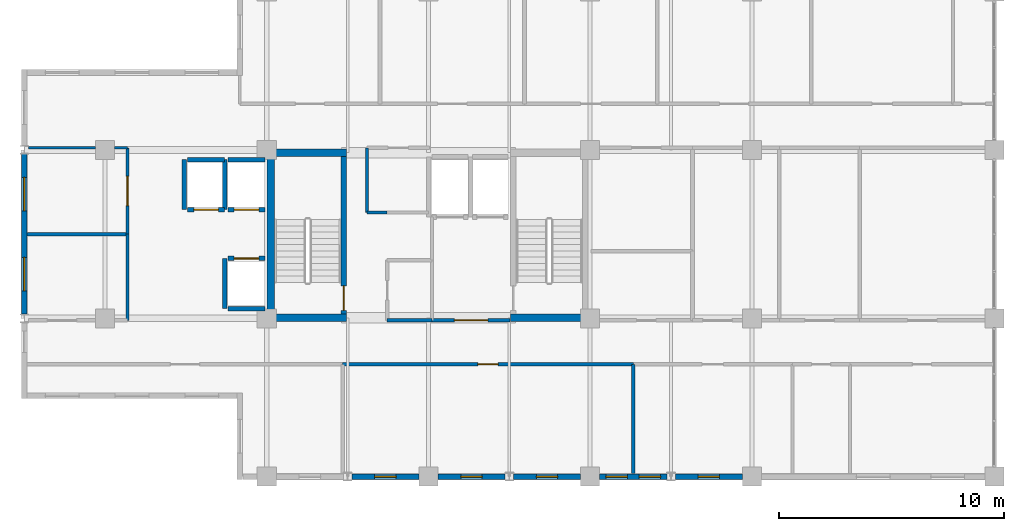
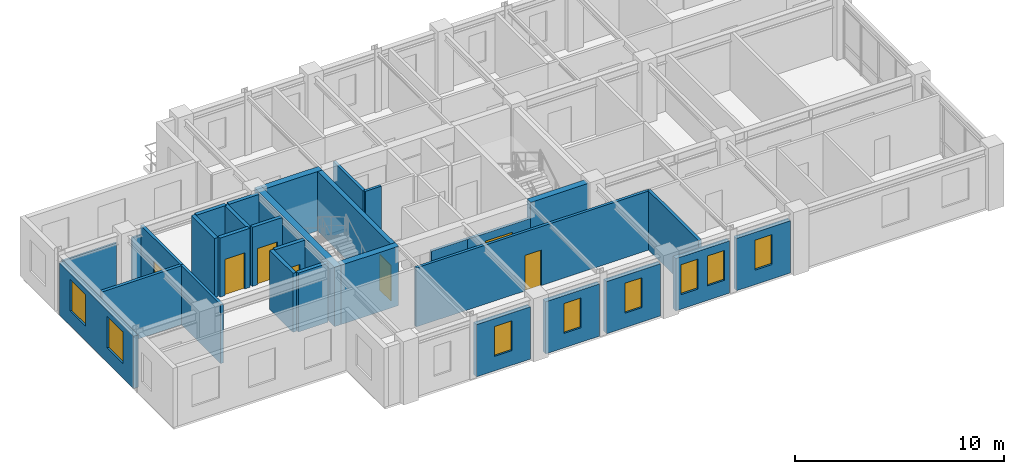
# One storey, part 6 of 10: 31 walls, 8 windows, 7 doors, 15 openings.
"""IFC4 building model written with IfcOpenShell, lengths in metres."""

from ifc_helpers import new_model, si_unit, direction, frame, frame_2d, origin, place, context, subcontext, project, spatial, rectangle, extrude, material, layer, layer_set, type_object, element, fill, save


model = new_model("IFC4")

# Units and contexts
model_context = context("Model", 3, precision=1e-05, world=origin(), true_north=direction((0.0, 1.0)))
body_context = subcontext(model_context, "Body", "Model", "MODEL_VIEW")
ifc_project = project(units=[si_unit("LENGTHUNIT", "METRE"), si_unit("AREAUNIT", "SQUARE_METRE"), si_unit("VOLUMEUNIT", "CUBIC_METRE"), si_unit("PLANEANGLEUNIT", "RADIAN"), si_unit("MASSUNIT", "GRAM", prefix="KILO")], contexts=[model_context])

# Site, building, storey
site_placement = place(None, origin())
site = spatial("IfcSite", under=ifc_project, at=site_placement, CompositionType="ELEMENT")
building_placement = place(site_placement, origin())
building = spatial("IfcBuilding", under=site, at=building_placement, Name="Kaliganga Portal Commons", CompositionType="ELEMENT")
storey_placement = place(building_placement, frame((0.0, 0.0, 290.60009765625)))
storey = spatial("IfcBuildingStorey", under=building, at=storey_placement, Name="L75", CompositionType="ELEMENT", Elevation=290.60009765625)

# Walls
ifc_material_1 = material(Name="Concrete C50/60", Category="concrete")
ifc_layer_1 = layer(ifc_material_1, 0.35009765625)
ifc_layer_set_1 = layer_set([ifc_layer_1], Name="Concrete C50/60")
wall_type_1 = type_object("IfcWallType", Name="WL-CORE-350", PredefinedType="SHEAR", material=ifc_layer_set_1)
wall_1_placement = place(storey_placement, frame((14.574951171875, 28.5, 0.0), z_axis=(0.0, 0.0, 1.0), x_axis=(0.0, 1.0, 0.0)))
element("IfcWall", 1, at=wall_1_placement, inside=storey, type_object=wall_type_1, Name="Core A West Shear Wall L75", PredefinedType="SHEAR", context=body_context, shape_type="SweptSolid", body=[
    extrude(rectangle(XDim=7.699951171875, YDim=0.35009765625, at=frame_2d((3.85009765625, 0.0))), origin(), (0.0, 0.0, 1.0), 3.474853515625),
])
for number, where, z_axis, x_axis, name in (
    (2, (14.75, 28.675048828125, 0.0), (0.0, 0.0, 1.0), (1.0, 0.0, 0.0), "Core A S-West Shear Wall L75"),
    (3, (25.25, 28.675048828125, 0.0), (0.0, 0.0, 1.0), (1.0, 0.0, 0.0), "Core A S-East Shear Wall L75"),
    (4, (14.75, 36.02490234375, 0.0), (0.0, 0.0, 1.0), (1.0, 0.0, 0.0), "Core A N-West Shear Wall L75"),
):
    element("IfcWall", number, at=place(storey_placement, frame(where, z_axis=z_axis, x_axis=x_axis)), inside=storey, type_object=wall_type_1, Name=name, PredefinedType="SHEAR", context=body_context, shape_type="SweptSolid", body=[
        extrude(rectangle(XDim=3.199951171875, YDim=0.35009765625, at=frame_2d((1.60009765625, 0.0))), origin(), (0.0, 0.0, 1.0), 3.474853515625),
    ])

# Wall, opening, window
ifc_material_2 = material(Name="Insulated Aluminium-Clad Spandrel Assembly", Category="aluminium")
ifc_layer_2 = layer(ifc_material_2, 0.260009765625)
ifc_layer_set_2 = layer_set([ifc_layer_2], Name="Insulated Aluminium-Clad Spandrel Assembly")
wall_type_2 = type_object("IfcWallType", Name="WL-EXT-SPAND-260", PredefinedType="STANDARD", material=ifc_layer_set_2)
wall_2_placement = place(storey_placement, frame((21.174072265625, 21.60009765625, 0.0), z_axis=(0.0, 0.0, 1.0), x_axis=(-1.0, 0.0, 0.0)))
wall_2 = element("IfcWall", 5, at=wall_2_placement, inside=storey, type_object=wall_type_2, Name="Exterior Envelope Wall L75 P1-E00-S3", PredefinedType="STANDARD", context=body_context, shape_type="SweptSolid", body=[
    extrude(rectangle(XDim=2.986083984375, YDim=0.260009765625, at=frame_2d((1.4931640625, 0.0))), origin(), (0.0, 0.0, 1.0), 3.054931640625),
])
opening_1_placement = place(wall_2_placement, frame((1.01806640625, 0.0, 0.85009765625)))
opening_1 = element("IfcOpeningElement", 6, at=opening_1_placement, cuts=wall_2, Name="Opening W-04", PredefinedType="OPENING", context=body_context, shape_type="SweptSolid", body=[
    extrude(rectangle(XDim=0.949951171875, YDim=1.75, at=frame_2d((0.47509765625, 0.875))), frame((0.0, 0.14013671875, 0.0), z_axis=(0.0, -1.0, 0.0), x_axis=(1.0, 0.0, 0.0)), (0.0, 0.0, 1.0), 0.280029296875),
])
ifc_material_3 = material(Name="Thermally Broken Aluminium and Low-E Double Glazing", Category="aluminium")
window_type_1 = type_object("IfcWindowType", Name="WIN-NARROW-950", PartitioningType="SINGLE_PANEL", PredefinedType="WINDOW", material=ifc_material_3)
window_1_placement = place(opening_1_placement, origin())
window_1 = element("IfcWindow", 7, at=window_1_placement, inside=storey, type_object=window_type_1, Name="Facade Window L75-P1E00S3-00", OverallHeight=1.75, OverallWidth=0.949951171875, PartitioningType="SINGLE_PANEL", PredefinedType="WINDOW", context=body_context, shape_type="SweptSolid", body=[
    extrude(rectangle(XDim=0.949951171875, YDim=1.75, at=frame_2d((0.47509765625, 0.875))), frame((0.0, 0.030029296875, 0.0), z_axis=(0.0, -1.0, 0.0), x_axis=(1.0, 0.0, 0.0)), (0.0, 0.0, 1.0), 0.06005859375),
])
fill(opening_1, window_1)

wall_3_placement = place(storey_placement, frame((25.011962890625, 21.60009765625, 0.0), z_axis=(0.0, 0.0, 1.0), x_axis=(-1.0, 0.0, 0.0)))
wall_3 = element("IfcWall", 8, at=wall_3_placement, inside=storey, type_object=wall_type_2, Name="Exterior Envelope Wall L75 P1-E00-S4", PredefinedType="STANDARD", context=body_context, shape_type="SweptSolid", body=[
    extrude(rectangle(XDim=2.986083984375, YDim=0.260009765625, at=frame_2d((1.4931640625, 0.0))), origin(), (0.0, 0.0, 1.0), 3.054931640625),
])
opening_2_placement = place(wall_3_placement, frame((1.01806640625, 0.0, 0.85009765625)))
opening_2 = element("IfcOpeningElement", 9, at=opening_2_placement, cuts=wall_3, Name="Opening W-04", PredefinedType="OPENING", context=body_context, shape_type="SweptSolid", body=[
    extrude(rectangle(XDim=0.949951171875, YDim=1.75, at=frame_2d((0.47509765625, 0.875))), frame((0.0, 0.14013671875, 0.0), z_axis=(0.0, -1.0, 0.0), x_axis=(1.0, 0.0, 0.0)), (0.0, 0.0, 1.0), 0.280029296875),
])
window_2_placement = place(opening_2_placement, origin())
window_2 = element("IfcWindow", 10, at=window_2_placement, inside=storey, type_object=window_type_1, Name="Facade Window L75-P1E00S4-00", OverallHeight=1.75, OverallWidth=0.949951171875, PartitioningType="SINGLE_PANEL", PredefinedType="WINDOW", context=body_context, shape_type="SweptSolid", body=[
    extrude(rectangle(XDim=0.949951171875, YDim=1.75, at=frame_2d((0.47509765625, 0.875))), frame((0.0, 0.030029296875, 0.0), z_axis=(0.0, -1.0, 0.0), x_axis=(1.0, 0.0, 0.0)), (0.0, 0.0, 1.0), 0.06005859375),
])
fill(opening_2, window_2)

wall_4_placement = place(storey_placement, frame((28.3740234375, 21.60009765625, 0.0), z_axis=(0.0, 0.0, 1.0), x_axis=(-1.0, 0.0, 0.0)))
wall_4 = element("IfcWall", 11, at=wall_4_placement, inside=storey, type_object=wall_type_2, Name="Exterior Envelope Wall L75 P1-E00-S5", PredefinedType="STANDARD", context=body_context, shape_type="SweptSolid", body=[
    extrude(rectangle(XDim=2.986083984375, YDim=0.260009765625, at=frame_2d((1.4931640625, 0.0))), origin(), (0.0, 0.0, 1.0), 3.054931640625),
])
opening_3_placement = place(wall_4_placement, frame((1.01806640625, 0.0, 0.85009765625)))
opening_3 = element("IfcOpeningElement", 12, at=opening_3_placement, cuts=wall_4, Name="Opening W-04", PredefinedType="OPENING", context=body_context, shape_type="SweptSolid", body=[
    extrude(rectangle(XDim=0.949951171875, YDim=1.75, at=frame_2d((0.47509765625, 0.875))), frame((0.0, 0.14013671875, 0.0), z_axis=(0.0, -1.0, 0.0), x_axis=(1.0, 0.0, 0.0)), (0.0, 0.0, 1.0), 0.280029296875),
])
window_3_placement = place(opening_3_placement, origin())
window_3 = element("IfcWindow", 13, at=window_3_placement, inside=storey, type_object=window_type_1, Name="Facade Window L75-P1E00S5-00", OverallHeight=1.75, OverallWidth=0.949951171875, PartitioningType="SINGLE_PANEL", PredefinedType="WINDOW", context=body_context, shape_type="SweptSolid", body=[
    extrude(rectangle(XDim=0.949951171875, YDim=1.75, at=frame_2d((0.47509765625, 0.875))), frame((0.0, 0.030029296875, 0.0), z_axis=(0.0, -1.0, 0.0), x_axis=(1.0, 0.0, 0.0)), (0.0, 0.0, 1.0), 0.06005859375),
])
fill(opening_3, window_3)

# Wall, openings, windows
wall_5_placement = place(storey_placement, frame((32.2119140625, 21.60009765625, 0.0), z_axis=(0.0, 0.0, 1.0), x_axis=(-1.0, 0.0, 0.0)))
wall_5 = element("IfcWall", 14, at=wall_5_placement, inside=storey, type_object=wall_type_2, Name="Exterior Envelope Wall L75 P1-E00-S6", PredefinedType="STANDARD", context=body_context, shape_type="SweptSolid", body=[
    extrude(rectangle(XDim=2.98583984375, YDim=0.260009765625, at=frame_2d((1.492919921875, 0.0))), origin(), (0.0, 0.0, 1.0), 3.054931640625),
])
opening_4_placement = place(wall_5_placement, frame((0.277587890625, 0.0, 0.85009765625)))
opening_4 = element("IfcOpeningElement", 15, at=opening_4_placement, cuts=wall_5, Name="Opening W-04", PredefinedType="OPENING", context=body_context, shape_type="SweptSolid", body=[
    extrude(rectangle(XDim=0.949951171875, YDim=1.75, at=frame_2d((0.47509765625, 0.875))), frame((0.0, 0.14013671875, 0.0), z_axis=(0.0, -1.0, 0.0), x_axis=(1.0, 0.0, 0.0)), (0.0, 0.0, 1.0), 0.280029296875),
])
opening_5_placement = place(wall_5_placement, frame((1.758544921875, 0.0, 0.85009765625)))
opening_5 = element("IfcOpeningElement", 16, at=opening_5_placement, cuts=wall_5, Name="Opening W-04", PredefinedType="OPENING", context=body_context, shape_type="SweptSolid", body=[
    extrude(rectangle(XDim=0.949951171875, YDim=1.75, at=frame_2d((0.47509765625, 0.875))), frame((0.0, 0.14013671875, 0.0), z_axis=(0.0, -1.0, 0.0), x_axis=(1.0, 0.0, 0.0)), (0.0, 0.0, 1.0), 0.280029296875),
])
window_4_placement = place(opening_4_placement, origin())
window_4 = element("IfcWindow", 17, at=window_4_placement, inside=storey, type_object=window_type_1, Name="Facade Window L75-P1E00S6-N1", OverallHeight=1.75, OverallWidth=0.949951171875, PartitioningType="SINGLE_PANEL", PredefinedType="WINDOW", context=body_context, shape_type="SweptSolid", body=[
    extrude(rectangle(XDim=0.949951171875, YDim=1.75, at=frame_2d((0.47509765625, 0.875))), frame((0.0, 0.030029296875, 0.0), z_axis=(0.0, -1.0, 0.0), x_axis=(1.0, 0.0, 0.0)), (0.0, 0.0, 1.0), 0.06005859375),
])
fill(opening_4, window_4)
window_5_placement = place(opening_5_placement, origin())
window_5 = element("IfcWindow", 18, at=window_5_placement, inside=storey, type_object=window_type_1, Name="Facade Window L75-P1E00S6-N2", OverallHeight=1.75, OverallWidth=0.949951171875, PartitioningType="SINGLE_PANEL", PredefinedType="WINDOW", context=body_context, shape_type="SweptSolid", body=[
    extrude(rectangle(XDim=0.949951171875, YDim=1.75, at=frame_2d((0.47509765625, 0.875))), frame((0.0, 0.030029296875, 0.0), z_axis=(0.0, -1.0, 0.0), x_axis=(1.0, 0.0, 0.0)), (0.0, 0.0, 1.0), 0.06005859375),
])
fill(opening_5, window_5)

# Wall, opening, window
wall_6_placement = place(storey_placement, frame((35.573974609375, 21.60009765625, 0.0), z_axis=(0.0, 0.0, 1.0), x_axis=(-1.0, 0.0, 0.0)))
wall_6 = element("IfcWall", 19, at=wall_6_placement, inside=storey, type_object=wall_type_2, Name="Exterior Envelope Wall L75 P1-E00-S7", PredefinedType="STANDARD", context=body_context, shape_type="SweptSolid", body=[
    extrude(rectangle(XDim=2.986083984375, YDim=0.260009765625, at=frame_2d((1.4931640625, 0.0))), origin(), (0.0, 0.0, 1.0), 3.054931640625),
])
opening_6_placement = place(wall_6_placement, frame((1.01806640625, 0.0, 0.85009765625)))
opening_6 = element("IfcOpeningElement", 20, at=opening_6_placement, cuts=wall_6, Name="Opening W-04", PredefinedType="OPENING", context=body_context, shape_type="SweptSolid", body=[
    extrude(rectangle(XDim=0.949951171875, YDim=1.75, at=frame_2d((0.47509765625, 0.875))), frame((0.0, 0.14013671875, 0.0), z_axis=(0.0, -1.0, 0.0), x_axis=(1.0, 0.0, 0.0)), (0.0, 0.0, 1.0), 0.280029296875),
])
window_6_placement = place(opening_6_placement, origin())
window_6 = element("IfcWindow", 21, at=window_6_placement, inside=storey, type_object=window_type_1, Name="Facade Window L75-P1E00S7-00", OverallHeight=1.75, OverallWidth=0.949951171875, PartitioningType="SINGLE_PANEL", PredefinedType="WINDOW", context=body_context, shape_type="SweptSolid", body=[
    extrude(rectangle(XDim=0.949951171875, YDim=1.75, at=frame_2d((0.47509765625, 0.875))), frame((0.0, 0.030029296875, 0.0), z_axis=(0.0, -1.0, 0.0), x_axis=(1.0, 0.0, 0.0)), (0.0, 0.0, 1.0), 0.06005859375),
])
fill(opening_6, window_6)

# Wall, openings, windows
wall_7_placement = place(storey_placement, frame((3.60009765625, 28.8369140625, 0.0), z_axis=(0.0, 0.0, 1.0), x_axis=(0.0, 1.0, 0.0)))
wall_7 = element("IfcWall", 22, at=wall_7_placement, inside=storey, type_object=wall_type_2, Name="Exterior Envelope Wall L75 P1-E05-S2", PredefinedType="STANDARD", context=body_context, shape_type="SweptSolid", body=[
    extrude(rectangle(XDim=7.1259765625, YDim=0.260009765625, at=frame_2d((3.56298828125, 0.0))), origin(), (0.0, 0.0, 1.0), 3.054931640625),
])
opening_7_placement = place(wall_7_placement, frame((1.031494140625, 0.0, 0.85009765625)))
opening_7 = element("IfcOpeningElement", 23, at=opening_7_placement, cuts=wall_7, Name="Opening W-02", PredefinedType="OPENING", context=body_context, shape_type="SweptSolid", body=[
    extrude(rectangle(XDim=1.5, YDim=1.85009765625, at=frame_2d((0.75, 0.925048828125))), frame((0.0, 0.14013671875, 0.0), z_axis=(0.0, -1.0, 0.0), x_axis=(1.0, 0.0, 0.0)), (0.0, 0.0, 1.0), 0.280029296875),
])
opening_8_placement = place(wall_7_placement, frame((4.594482421875, 0.0, 0.85009765625)))
opening_8 = element("IfcOpeningElement", 24, at=opening_8_placement, cuts=wall_7, Name="Opening W-02", PredefinedType="OPENING", context=body_context, shape_type="SweptSolid", body=[
    extrude(rectangle(XDim=1.5, YDim=1.85009765625, at=frame_2d((0.75, 0.925048828125))), frame((0.0, 0.14013671875, 0.0), z_axis=(0.0, -1.0, 0.0), x_axis=(1.0, 0.0, 0.0)), (0.0, 0.0, 1.0), 0.280029296875),
])
window_type_2 = type_object("IfcWindowType", Name="WIN-STD-1500", PartitioningType="DOUBLE_PANEL_VERTICAL", PredefinedType="WINDOW", material=ifc_material_3)
window_7_placement = place(opening_7_placement, origin())
window_7 = element("IfcWindow", 25, at=window_7_placement, inside=storey, type_object=window_type_2, Name="Facade Window L75-P1E05S2-00", OverallHeight=1.85009765625, OverallWidth=1.5, PartitioningType="SINGLE_PANEL", PredefinedType="WINDOW", context=body_context, shape_type="SweptSolid", body=[
    extrude(rectangle(XDim=1.5, YDim=1.85009765625, at=frame_2d((0.75, 0.925048828125))), frame((0.0, 0.030029296875, 0.0), z_axis=(0.0, -1.0, 0.0), x_axis=(1.0, 0.0, 0.0)), (0.0, 0.0, 1.0), 0.06005859375),
])
fill(opening_7, window_7)
window_8_placement = place(opening_8_placement, origin())
window_8 = element("IfcWindow", 26, at=window_8_placement, inside=storey, type_object=window_type_2, Name="Facade Window L75-P1E05S2-01", OverallHeight=1.85009765625, OverallWidth=1.5, PartitioningType="SINGLE_PANEL", PredefinedType="WINDOW", context=body_context, shape_type="SweptSolid", body=[
    extrude(rectangle(XDim=1.5, YDim=1.85009765625, at=frame_2d((0.75, 0.925048828125))), frame((0.0, 0.030029296875, 0.0), z_axis=(0.0, -1.0, 0.0), x_axis=(1.0, 0.0, 0.0)), (0.0, 0.0, 1.0), 0.06005859375),
])
fill(opening_8, window_8)

# Wall, opening, door
ifc_material_4 = material(Name="Fire-Rated Gypsum Board on Steel Stud", Category="steel")
ifc_layer_3 = layer(ifc_material_4, 0.14990234375)
ifc_layer_set_3 = layer_set([ifc_layer_3], Name="Fire-Rated Gypsum Board on Steel Stud")
wall_type_3 = type_object("IfcWallType", Name="WL-PART-CORR-150", PredefinedType="PARTITIONING", material=ifc_layer_set_3)
wall_8_placement = place(storey_placement, frame((17.780029296875, 26.60009765625, 0.0), z_axis=(0.0, 0.0, 1.0), x_axis=(1.0, 0.0, 0.0)))
wall_8 = element("IfcWall", 27, at=wall_8_placement, inside=storey, type_object=wall_type_3, Name="Interior Partition L75-002", PredefinedType="PARTITIONING", context=body_context, shape_type="SweptSolid", body=[
    extrude(rectangle(XDim=12.93994140625, YDim=0.14990234375, at=frame_2d((6.469970703125, 0.0))), origin(), (0.0, 0.0, 1.0), 3.454833984375),
])
opening_9_placement = place(wall_8_placement, frame((6.02001953125, 0.0, 0.0)))
opening_9 = element("IfcOpeningElement", 28, at=opening_9_placement, cuts=wall_8, Name="Opening RD-01", PredefinedType="OPENING", context=body_context, shape_type="SweptSolid", body=[
    extrude(rectangle(XDim=0.89990234375, YDim=2.080078125, at=frame_2d((0.449951171875, 1.0400390625))), frame((0.0, 0.0849609375, 0.0), z_axis=(0.0, -1.0, 0.0), x_axis=(1.0, 0.0, 0.0)), (0.0, 0.0, 1.0), 0.169921875),
])
ifc_material_5 = material(Name="Engineered Timber Flush Door", Category="wood")
door_type_1 = type_object("IfcDoorType", Name="DR-ROOM-900", OperationType="NOTDEFINED", PredefinedType="DOOR", material=ifc_material_5)
door_1_placement = place(opening_9_placement, origin())
door_1 = element("IfcDoor", 29, at=door_1_placement, inside=storey, type_object=door_type_1, Name="Interior Door L75-AS02", OperationType="SINGLE_SWING_LEFT", OverallHeight=2.080078125, OverallWidth=0.89990234375, PredefinedType="DOOR", context=body_context, shape_type="SweptSolid", body=[
    extrude(rectangle(XDim=0.89990234375, YDim=2.080078125, at=frame_2d((0.449951171875, 1.0400390625))), frame((0.0, 0.02490234375, 0.0), z_axis=(0.0, -1.0, 0.0), x_axis=(1.0, 0.0, 0.0)), (0.0, 0.0, 1.0), 0.050048828125),
])
fill(opening_9, door_1)

wall_9_placement = place(storey_placement, frame((8.199951171875, 32.39990234375, 0.0), z_axis=(0.0, 0.0, 1.0), x_axis=(0.0, 1.0, 0.0)))
wall_9 = element("IfcWall", 30, at=wall_9_placement, inside=storey, type_object=wall_type_3, Name="Interior Partition L75-020", PredefinedType="PARTITIONING", context=body_context, shape_type="SweptSolid", body=[
    extrude(rectangle(XDim=3.840087890625, YDim=0.14990234375, at=frame_2d((1.919921875, 0.0))), origin(), (0.0, 0.0, 1.0), 3.454833984375),
])
opening_10_placement = place(wall_9_placement, frame((1.27001953125, 0.0, 0.0)))
opening_10 = element("IfcOpeningElement", 31, at=opening_10_placement, cuts=wall_9, Name="Opening RD-03", PredefinedType="OPENING", context=body_context, shape_type="SweptSolid", body=[
    extrude(rectangle(XDim=1.300048828125, YDim=2.1201171875, at=frame_2d((0.64990234375, 1.06005859375))), frame((0.0, 0.0849609375, 0.0), z_axis=(0.0, -1.0, 0.0), x_axis=(1.0, 0.0, 0.0)), (0.0, 0.0, 1.0), 0.169921875),
])
ifc_material_6 = material(Name="Glazed Timber Seminar Vision Door", Category="wood")
door_type_2 = type_object("IfcDoorType", Name="DR-STUDY-1300", OperationType="DOUBLE_DOOR_SINGLE_SWING", PredefinedType="DOOR", material=ifc_material_6)
door_2_placement = place(opening_10_placement, origin())
door_2 = element("IfcDoor", 32, at=door_2_placement, inside=storey, type_object=door_type_2, Name="Interior Door L75-AW02", OperationType="DOUBLE_DOOR_SINGLE_SWING", OverallHeight=2.1201171875, OverallWidth=1.300048828125, PredefinedType="DOOR", context=body_context, shape_type="SweptSolid", body=[
    extrude(rectangle(XDim=1.300048828125, YDim=2.1201171875, at=frame_2d((0.64990234375, 1.06005859375))), frame((0.0, 0.02490234375, 0.0), z_axis=(0.0, -1.0, 0.0), x_axis=(1.0, 0.0, 0.0)), (0.0, 0.0, 1.0), 0.050048828125),
])
fill(opening_10, door_2)

# Walls
wall_10_placement = place(storey_placement, frame((8.199951171875, 28.56005859375, 0.0), z_axis=(0.0, 0.0, 1.0), x_axis=(0.0, 1.0, 0.0)))
element("IfcWall", 33, at=wall_10_placement, inside=storey, type_object=wall_type_3, Name="Interior Partition L75-021", PredefinedType="PARTITIONING", context=body_context, shape_type="SweptSolid", body=[
    extrude(rectangle(XDim=3.83984375, YDim=0.14990234375, at=frame_2d((1.919921875, 0.0))), origin(), (0.0, 0.0, 1.0), 3.454833984375),
])
wall_11_placement = place(storey_placement, frame((18.860107421875, 33.360107421875, 0.0), z_axis=(0.0, 0.0, 1.0), x_axis=(0.0, 1.0, 0.0)))
element("IfcWall", 34, at=wall_11_placement, inside=storey, type_object=wall_type_3, Name="Interior Partition L75-024", PredefinedType="PARTITIONING", context=body_context, shape_type="SweptSolid", body=[
    extrude(rectangle(XDim=2.8798828125, YDim=0.14990234375, at=frame_2d((1.43994140625, 0.0))), origin(), (0.0, 0.0, 1.0), 3.454833984375),
])
wall_12_placement = place(storey_placement, frame((19.760009765625, 28.56005859375, 0.0), z_axis=(0.0, 0.0, 1.0), x_axis=(1.0, 0.0, 0.0)))
element("IfcWall", 35, at=wall_12_placement, inside=storey, type_object=wall_type_3, Name="Interior Partition L75-029", PredefinedType="PARTITIONING", context=body_context, shape_type="SweptSolid", body=[
    extrude(rectangle(XDim=2.0, YDim=0.14990234375, at=frame_2d((1.0, 0.0))), origin(), (0.0, 0.0, 1.0), 2.554931640625),
])
wall_13_placement = place(storey_placement, frame((18.860107421875, 33.360107421875, 0.0), z_axis=(0.0, 0.0, 1.0), x_axis=(1.0, 0.0, 0.0)))
element("IfcWall", 36, at=wall_13_placement, inside=storey, type_object=wall_type_3, Name="Interior Partition L75-033", PredefinedType="PARTITIONING", context=body_context, shape_type="SweptSolid", body=[
    extrude(rectangle(XDim=0.89990234375, YDim=0.14990234375, at=frame_2d((0.449951171875, 0.0))), origin(), (0.0, 0.0, 1.0), 3.454833984375),
])

# Wall, opening, door
wall_14_placement = place(storey_placement, frame((21.760009765625, 28.56005859375, 0.0), z_axis=(0.0, 0.0, 1.0), x_axis=(1.0, 0.0, 0.0)))
wall_14 = element("IfcWall", 37, at=wall_14_placement, inside=storey, type_object=wall_type_3, Name="Interior Partition L75-051", PredefinedType="PARTITIONING", context=body_context, shape_type="SweptSolid", body=[
    extrude(rectangle(XDim=3.47998046875, YDim=0.14990234375, at=frame_2d((1.739990234375, 0.0))), origin(), (0.0, 0.0, 1.0), 2.554931640625),
])
opening_11_placement = place(wall_14_placement, frame((0.989990234375, 0.0, 0.0)))
opening_11 = element("IfcOpeningElement", 38, at=opening_11_placement, cuts=wall_14, Name="Opening FD-01", PredefinedType="OPENING", context=body_context, shape_type="SweptSolid", body=[
    extrude(rectangle(XDim=1.5, YDim=2.10009765625, at=frame_2d((0.75, 1.050048828125))), frame((0.0, 0.0849609375, 0.0), z_axis=(0.0, -1.0, 0.0), x_axis=(1.0, 0.0, 0.0)), (0.0, 0.0, 1.0), 0.169921875),
])
ifc_material_7 = material(Name="Fire-Rated Hardwood and Georgian-Wired Vision Panel", Category="wood")
door_type_3 = type_object("IfcDoorType", Name="DR-LOBBY-1500", OperationType="DOUBLE_DOOR_SINGLE_SWING", PredefinedType="DOOR", material=ifc_material_7)
door_3_placement = place(opening_11_placement, origin())
door_3 = element("IfcDoor", 39, at=door_3_placement, inside=storey, type_object=door_type_3, Name="Interior Door L75-FFLOB_A", OperationType="DOUBLE_DOOR_SINGLE_SWING", OverallHeight=2.10009765625, OverallWidth=1.5, PredefinedType="DOOR", context=body_context, shape_type="SweptSolid", body=[
    extrude(rectangle(XDim=1.5, YDim=2.10009765625, at=frame_2d((0.75, 1.050048828125))), frame((0.0, 0.02490234375, 0.0), z_axis=(0.0, -1.0, 0.0), x_axis=(1.0, 0.0, 0.0)), (0.0, 0.0, 1.0), 0.050048828125),
])
fill(opening_11, door_3)

# Walls
ifc_material_8 = material(Name="Moisture-Resistant Gypsum Partition", Category="gypsum")
ifc_layer_4 = layer(ifc_material_8, 0.114990234375)
ifc_layer_set_4 = layer_set([ifc_layer_4], Name="Moisture-Resistant Gypsum Partition")
wall_type_4 = type_object("IfcWallType", Name="WL-PART-ROOM-115", PredefinedType="PARTITIONING", material=ifc_layer_set_4)
wall_15_placement = place(storey_placement, frame((3.787109375, 36.239990234375, 0.0), z_axis=(0.0, 0.0, 1.0), x_axis=(1.0, 0.0, 0.0)))
element("IfcWall", 40, at=wall_15_placement, inside=storey, type_object=wall_type_4, Name="Interior Partition L75-048", PredefinedType="PARTITIONING", context=body_context, shape_type="SweptSolid", body=[
    extrude(rectangle(XDim=2.98779296875, YDim=0.114990234375, at=frame_2d((1.493896484375, 0.0))), origin(), (0.0, 0.0, 1.0), 2.90478515625),
])
wall_16_placement = place(storey_placement, frame((7.625, 36.239990234375, 0.0), z_axis=(0.0, 0.0, 1.0), x_axis=(1.0, 0.0, 0.0)))
element("IfcWall", 41, at=wall_16_placement, inside=storey, type_object=wall_type_4, Name="Interior Partition L75-049", PredefinedType="PARTITIONING", context=body_context, shape_type="SweptSolid", body=[
    extrude(rectangle(XDim=0.574951171875, YDim=0.114990234375, at=frame_2d((0.28759765625, 0.0))), origin(), (0.0, 0.0, 1.0), 2.90478515625),
])
ifc_material_9 = material(Name="Twin-Stud Acoustic Gypsum Partition", Category="gypsum")
ifc_layer_5 = layer(ifc_material_9, 0.1650390625)
ifc_layer_set_5 = layer_set([ifc_layer_5], Name="Twin-Stud Acoustic Gypsum Partition")
wall_type_5 = type_object("IfcWallType", Name="WL-PART-UNIT-165", PredefinedType="PARTITIONING", material=ifc_layer_set_5)
wall_17_placement = place(storey_placement, frame((30.719970703125, 21.73193359375, 0.0), z_axis=(0.0, 0.0, 1.0), x_axis=(0.0, 1.0, 0.0)))
element("IfcWall", 42, at=wall_17_placement, inside=storey, type_object=wall_type_5, Name="Interior Partition L75-040", PredefinedType="PARTITIONING", context=body_context, shape_type="SweptSolid", body=[
    extrude(rectangle(XDim=4.8681640625, YDim=0.1650390625, at=frame_2d((2.43408203125, 0.0))), origin(), (0.0, 0.0, 1.0), 3.454833984375),
])
wall_18_placement = place(storey_placement, frame((3.73193359375, 32.39990234375, 0.0), z_axis=(0.0, 0.0, 1.0), x_axis=(1.0, 0.0, 0.0)))
element("IfcWall", 43, at=wall_18_placement, inside=storey, type_object=wall_type_5, Name="Interior Partition L75-047", PredefinedType="PARTITIONING", context=body_context, shape_type="SweptSolid", body=[
    extrude(rectangle(XDim=4.468017578125, YDim=0.1650390625, at=frame_2d((2.23388671875, 0.0))), origin(), (0.0, 0.0, 1.0), 3.454833984375),
])

# Wall, opening, door
ifc_material_10 = material(Name="Fire-Rated Shaftwall Masonry Assembly", Category="masonry")
ifc_layer_6 = layer(ifc_material_10, 0.199951171875)
ifc_layer_set_6 = layer_set([ifc_layer_6], Name="Fire-Rated Shaftwall Masonry Assembly")
wall_type_6 = type_object("IfcWallType", Name="WL-SHAFT-200", PredefinedType="PARTITIONING", material=ifc_layer_set_6)
wall_19_placement = place(storey_placement, frame((12.675048828125, 33.485107421875, 0.0), z_axis=(0.0, 0.0, 1.0), x_axis=(1.0, 0.0, 0.0)))
wall_19 = element("IfcWall", 44, at=wall_19_placement, inside=storey, type_object=wall_type_6, Name="Lift PL-A3 Hoistway Shaft Wall L75-S", PredefinedType="PARTITIONING", context=body_context, shape_type="SweptSolid", body=[
    extrude(rectangle(XDim=1.64990234375, YDim=0.199951171875, at=frame_2d((0.824951171875, 0.0))), origin(), (0.0, 0.0, 1.0), 3.454833984375),
])
opening_12_placement = place(wall_19_placement, frame((0.27490234375, 0.0, 0.0)))
opening_12 = element("IfcOpeningElement", 45, at=opening_12_placement, cuts=wall_19, Name="Opening LD-01", PredefinedType="OPENING", context=body_context, shape_type="SweptSolid", body=[
    extrude(rectangle(XDim=1.10009765625, YDim=2.1201171875, at=frame_2d((0.550048828125, 1.06005859375))), frame((0.0, 0.10986328125, 0.0), z_axis=(0.0, -1.0, 0.0), x_axis=(1.0, 0.0, 0.0)), (0.0, 0.0, 1.0), 0.219970703125),
])
ifc_material_11 = material(Name="Brushed Stainless Steel 316 Lift Landing Door", Category="steel")
door_type_4 = type_object("IfcDoorType", Name="DR-LIFT-1100", OperationType="SLIDING_TO_LEFT", PredefinedType="DOOR", material=ifc_material_11)
door_4_placement = place(opening_12_placement, origin())
door_4 = element("IfcDoor", 46, at=door_4_placement, inside=storey, type_object=door_type_4, Name="Lift PL-A3 Sliding Landing Door L75", OperationType="SLIDING_TO_LEFT", OverallHeight=2.1201171875, OverallWidth=1.10009765625, PredefinedType="DOOR", context=body_context, shape_type="SweptSolid", body=[
    extrude(rectangle(XDim=1.10009765625, YDim=2.1201171875, at=frame_2d((0.550048828125, 1.06005859375))), frame((0.0, 0.02490234375, 0.0), z_axis=(0.0, -1.0, 0.0), x_axis=(1.0, 0.0, 0.0)), (0.0, 0.0, 1.0), 0.050048828125),
])
fill(opening_12, door_4)

# Walls
wall_20_placement = place(storey_placement, frame((12.675048828125, 35.715087890625, 0.0), z_axis=(0.0, 0.0, 1.0), x_axis=(1.0, 0.0, 0.0)))
element("IfcWall", 47, at=wall_20_placement, inside=storey, type_object=wall_type_6, Name="Lift PL-A3 Hoistway Shaft Wall L75-N", PredefinedType="PARTITIONING", context=body_context, shape_type="SweptSolid", body=[
    extrude(rectangle(XDim=1.64990234375, YDim=0.199951171875, at=frame_2d((0.824951171875, 0.0))), origin(), (0.0, 0.0, 1.0), 3.454833984375),
])
wall_21_placement = place(storey_placement, frame((12.534912109375, 33.485107421875, 0.0), z_axis=(0.0, 0.0, 1.0), x_axis=(0.0, 1.0, 0.0)))
element("IfcWall", 48, at=wall_21_placement, inside=storey, type_object=wall_type_6, Name="Lift PL-A3 Hoistway Shaft Wall L75-W", PredefinedType="PARTITIONING", context=body_context, shape_type="SweptSolid", body=[
    extrude(rectangle(XDim=2.22998046875, YDim=0.199951171875, at=frame_2d((1.114990234375, 0.0))), origin(), (0.0, 0.0, 1.0), 3.454833984375),
])
wall_22_placement = place(storey_placement, frame((12.675048828125, 29.0849609375, 0.0), z_axis=(0.0, 0.0, 1.0), x_axis=(1.0, 0.0, 0.0)))
element("IfcWall", 49, at=wall_22_placement, inside=storey, type_object=wall_type_6, Name="Lift PL-A4 Hoistway Shaft Wall L75-S", PredefinedType="PARTITIONING", context=body_context, shape_type="SweptSolid", body=[
    extrude(rectangle(XDim=1.64990234375, YDim=0.199951171875, at=frame_2d((0.824951171875, 0.0))), origin(), (0.0, 0.0, 1.0), 3.454833984375),
])

# Wall, opening, door
wall_23_placement = place(storey_placement, frame((12.675048828125, 31.31494140625, 0.0), z_axis=(0.0, 0.0, 1.0), x_axis=(1.0, 0.0, 0.0)))
wall_23 = element("IfcWall", 50, at=wall_23_placement, inside=storey, type_object=wall_type_6, Name="Lift PL-A4 Hoistway Shaft Wall L75-N", PredefinedType="PARTITIONING", context=body_context, shape_type="SweptSolid", body=[
    extrude(rectangle(XDim=1.64990234375, YDim=0.199951171875, at=frame_2d((0.824951171875, 0.0))), origin(), (0.0, 0.0, 1.0), 3.454833984375),
])
opening_13_placement = place(wall_23_placement, frame((0.27490234375, 0.0, 0.0)))
opening_13 = element("IfcOpeningElement", 51, at=opening_13_placement, cuts=wall_23, Name="Opening LD-01", PredefinedType="OPENING", context=body_context, shape_type="SweptSolid", body=[
    extrude(rectangle(XDim=1.10009765625, YDim=2.1201171875, at=frame_2d((0.550048828125, 1.06005859375))), frame((0.0, 0.10986328125, 0.0), z_axis=(0.0, -1.0, 0.0), x_axis=(1.0, 0.0, 0.0)), (0.0, 0.0, 1.0), 0.219970703125),
])
door_5_placement = place(opening_13_placement, origin())
door_5 = element("IfcDoor", 52, at=door_5_placement, inside=storey, type_object=door_type_4, Name="Lift PL-A4 Sliding Landing Door L75", OperationType="SLIDING_TO_LEFT", OverallHeight=2.1201171875, OverallWidth=1.10009765625, PredefinedType="DOOR", context=body_context, shape_type="SweptSolid", body=[
    extrude(rectangle(XDim=1.10009765625, YDim=2.1201171875, at=frame_2d((0.550048828125, 1.06005859375))), frame((0.0, 0.02490234375, 0.0), z_axis=(0.0, -1.0, 0.0), x_axis=(1.0, 0.0, 0.0)), (0.0, 0.0, 1.0), 0.050048828125),
])
fill(opening_13, door_5)

# Wall
wall_24_placement = place(storey_placement, frame((12.534912109375, 29.0849609375, 0.0), z_axis=(0.0, 0.0, 1.0), x_axis=(0.0, 1.0, 0.0)))
element("IfcWall", 53, at=wall_24_placement, inside=storey, type_object=wall_type_6, Name="Lift PL-A4 Hoistway Shaft Wall L75-W", PredefinedType="PARTITIONING", context=body_context, shape_type="SweptSolid", body=[
    extrude(rectangle(XDim=2.22998046875, YDim=0.199951171875, at=frame_2d((1.114990234375, 0.0))), origin(), (0.0, 0.0, 1.0), 3.454833984375),
])

# Wall, opening, door
wall_25_placement = place(storey_placement, frame((10.875, 33.485107421875, 0.0), z_axis=(0.0, 0.0, 1.0), x_axis=(1.0, 0.0, 0.0)))
wall_25 = element("IfcWall", 54, at=wall_25_placement, inside=storey, type_object=wall_type_6, Name="Lift PL-OBS Hoistway Shaft Wall L75-S", PredefinedType="PARTITIONING", context=body_context, shape_type="SweptSolid", body=[
    extrude(rectangle(XDim=1.64990234375, YDim=0.199951171875, at=frame_2d((0.824951171875, 0.0))), origin(), (0.0, 0.0, 1.0), 3.454833984375),
])
opening_14_placement = place(wall_25_placement, frame((0.27490234375, 0.0, 0.0)))
opening_14 = element("IfcOpeningElement", 55, at=opening_14_placement, cuts=wall_25, Name="Opening LD-01", PredefinedType="OPENING", context=body_context, shape_type="SweptSolid", body=[
    extrude(rectangle(XDim=1.10009765625, YDim=2.1201171875, at=frame_2d((0.550048828125, 1.06005859375))), frame((0.0, 0.10986328125, 0.0), z_axis=(0.0, -1.0, 0.0), x_axis=(1.0, 0.0, 0.0)), (0.0, 0.0, 1.0), 0.219970703125),
])
door_6_placement = place(opening_14_placement, origin())
door_6 = element("IfcDoor", 56, at=door_6_placement, inside=storey, type_object=door_type_4, Name="Lift PL-OBS Sliding Landing Door L75", OperationType="SLIDING_TO_LEFT", OverallHeight=2.1201171875, OverallWidth=1.10009765625, PredefinedType="DOOR", context=body_context, shape_type="SweptSolid", body=[
    extrude(rectangle(XDim=1.10009765625, YDim=2.1201171875, at=frame_2d((0.550048828125, 1.06005859375))), frame((0.0, 0.02490234375, 0.0), z_axis=(0.0, -1.0, 0.0), x_axis=(1.0, 0.0, 0.0)), (0.0, 0.0, 1.0), 0.050048828125),
])
fill(opening_14, door_6)

# Walls
wall_26_placement = place(storey_placement, frame((10.875, 35.715087890625, 0.0), z_axis=(0.0, 0.0, 1.0), x_axis=(1.0, 0.0, 0.0)))
element("IfcWall", 57, at=wall_26_placement, inside=storey, type_object=wall_type_6, Name="Lift PL-OBS Hoistway Shaft Wall L75-N", PredefinedType="PARTITIONING", context=body_context, shape_type="SweptSolid", body=[
    extrude(rectangle(XDim=1.64990234375, YDim=0.199951171875, at=frame_2d((0.824951171875, 0.0))), origin(), (0.0, 0.0, 1.0), 3.454833984375),
])
wall_27_placement = place(storey_placement, frame((10.735107421875, 33.485107421875, 0.0), z_axis=(0.0, 0.0, 1.0), x_axis=(0.0, 1.0, 0.0)))
element("IfcWall", 58, at=wall_27_placement, inside=storey, type_object=wall_type_6, Name="Lift PL-OBS Hoistway Shaft Wall L75-W", PredefinedType="PARTITIONING", context=body_context, shape_type="SweptSolid", body=[
    extrude(rectangle(XDim=2.22998046875, YDim=0.199951171875, at=frame_2d((1.114990234375, 0.0))), origin(), (0.0, 0.0, 1.0), 3.454833984375),
])

# Wall, opening, door
ifc_layer_7 = layer(ifc_material_1, 0.25)
ifc_layer_set_7 = layer_set([ifc_layer_7], Name="Concrete C50/60")
wall_type_7 = type_object("IfcWallType", Name="WL-STAIR-250", PredefinedType="SHEAR", material=ifc_layer_set_7)
wall_28_placement = place(storey_placement, frame((17.824951171875, 28.85009765625, 0.0), z_axis=(0.0, 0.0, 1.0), x_axis=(0.0, 1.0, 0.0)))
wall_28 = element("IfcWall", 59, at=wall_28_placement, inside=storey, type_object=wall_type_7, Name="Stair A1 Enclosure Shear Wall L75", PredefinedType="SHEAR", context=body_context, shape_type="SweptSolid", body=[
    extrude(rectangle(XDim=7.0, YDim=0.25, at=frame_2d((3.5, 0.0))), origin(), (0.0, 0.0, 1.0), 3.474853515625),
])
opening_15_placement = place(wall_28_placement, frame((0.14990234375, 0.0, 0.0)))
opening_15 = element("IfcOpeningElement", 60, at=opening_15_placement, cuts=wall_28, Name="Opening SD-01", PredefinedType="OPENING", context=body_context, shape_type="SweptSolid", body=[
    extrude(rectangle(XDim=1.10009765625, YDim=2.080078125, at=frame_2d((0.550048828125, 1.0400390625))), frame((0.0, 0.135009765625, 0.0), z_axis=(0.0, -1.0, 0.0), x_axis=(1.0, 0.0, 0.0)), (0.0, 0.0, 1.0), 0.27001953125),
])
ifc_material_12 = material(Name="Galvanized Steel Fire Door Leaf and Frame", Category="steel")
door_type_5 = type_object("IfcDoorType", Name="DR-STAIR-1100", OperationType="NOTDEFINED", PredefinedType="DOOR", material=ifc_material_12)
door_7_placement = place(opening_15_placement, origin())
door_7 = element("IfcDoor", 61, at=door_7_placement, inside=storey, type_object=door_type_5, Name="Protected Stair ST-A1 Fire Door L75", OperationType="SINGLE_SWING_LEFT", OverallHeight=2.080078125, OverallWidth=1.10009765625, PredefinedType="DOOR", context=body_context, shape_type="SweptSolid", body=[
    extrude(rectangle(XDim=1.10009765625, YDim=2.080078125, at=frame_2d((0.550048828125, 1.0400390625))), frame((0.0, 0.02490234375, 0.0), z_axis=(0.0, -1.0, 0.0), x_axis=(1.0, 0.0, 0.0)), (0.0, 0.0, 1.0), 0.050048828125),
])
fill(opening_15, door_7)

save(model, "model.ifc")
